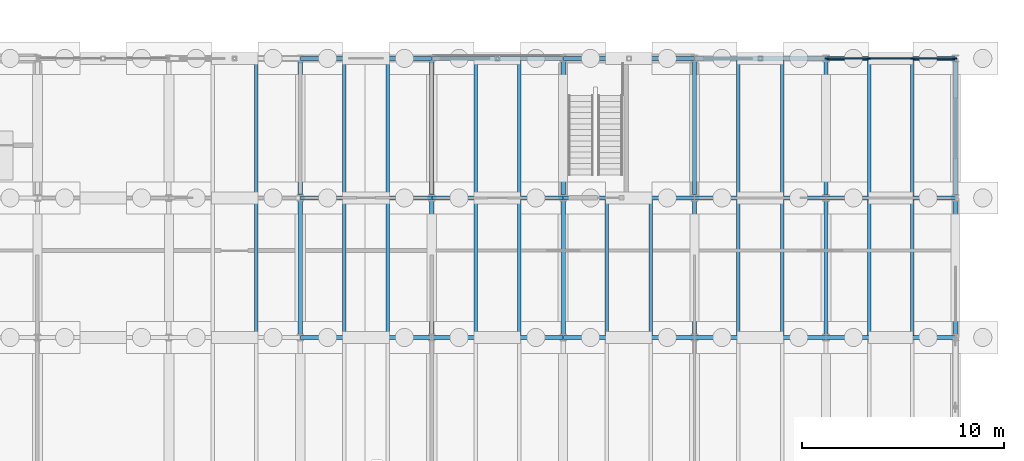
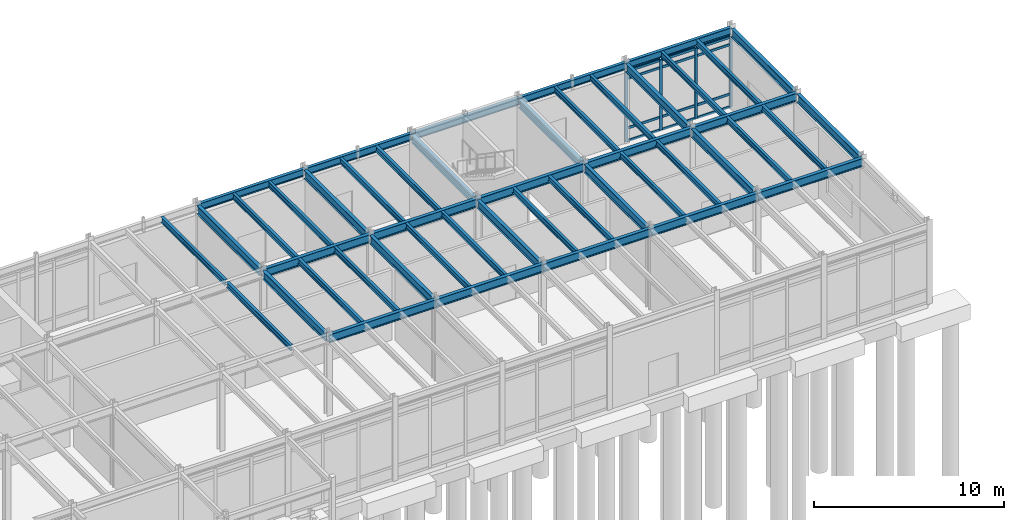
# One storey, part 49 of 82: 47 beams, 16 members, 1 element without a shape of its own.
"""IFC4 building model written with IfcOpenShell, lengths in metres."""

from ifc_helpers import new_model, si_unit, direction, frame, origin, origin_2d, place, context, subcontext, project, spatial, rectangle, i_section, extrude, material, layer, layer_set, material_profile, profile_set, type_object, element, aggregate, save


model = new_model("IFC4")

# Units and contexts
model_context = context("Model", 3, precision=1e-05, world=origin(), true_north=direction((0.0, 1.0)))
body_context = subcontext(model_context, "Body", "Model", "MODEL_VIEW")
ifc_project = project(units=[si_unit("LENGTHUNIT", "METRE"), si_unit("AREAUNIT", "SQUARE_METRE"), si_unit("VOLUMEUNIT", "CUBIC_METRE"), si_unit("PLANEANGLEUNIT", "RADIAN"), si_unit("MASSUNIT", "GRAM", prefix="KILO")], contexts=[model_context])

# Site, building, storey
site_placement = place(None, origin())
site = spatial("IfcSite", under=ifc_project, at=site_placement, CompositionType="ELEMENT")
building_placement = place(site_placement, origin())
building = spatial("IfcBuilding", under=site, at=building_placement, Name="Trelmorton Wharf Fire Station", CompositionType="ELEMENT")
storey_placement = place(building_placement, origin())
storey = spatial("IfcBuildingStorey", under=building, at=storey_placement, Name="L00", CompositionType="ELEMENT", Elevation=0.0)

# Beams
ifc_material_1 = material(Name="Steel Grade 350", Category="steel")
ifc_material_profile_1 = material_profile(ifc_material_1, i_section(OverallWidth=0.208984375, OverallDepth=0.532958984375, WebThickness=0.01025390625, FlangeThickness=0.015625, FilletRadius=0.013916015625, at=origin_2d()), Name="530UB92.4")
ifc_profile_set_1 = profile_set([ifc_material_profile_1], Name="Steel Grade 350")
beam_type_1 = type_object("IfcBeamType", Name="BM_530UB92", PredefinedType="BEAM", material=ifc_profile_set_1)
for number, where, z_axis, x_axis, name in (
    (1, (130.005859375, 67.199951171875, 4.863525390625), (1.0, 0.0, 0.0), (0.0, 1.0, 0.0), "BM-L00-0165"),
    (2, (136.505859375, 67.199951171875, 4.863525390625), (1.0, 0.0, 0.0), (0.0, 1.0, 0.0), "BM-L00-0166"),
    (3, (143.005859375, 67.199951171875, 4.863525390625), (1.0, 0.0, 0.0), (0.0, 1.0, 0.0), "BM-L00-0167"),
    (4, (149.505859375, 67.199951171875, 4.863525390625), (1.0, 0.0, 0.0), (0.0, 1.0, 0.0), "BM-L00-0168"),
):
    element("IfcBeam", number, at=place(storey_placement, frame(where, z_axis=z_axis, x_axis=x_axis)), inside=storey, type_object=beam_type_1, Name=name, PredefinedType="BEAM", context=body_context, shape_type="SweptSolid", body=[
        extrude(i_section(OverallWidth=0.208984375, OverallDepth=0.532958984375, WebThickness=0.01025390625, FlangeThickness=0.015625, FilletRadius=0.013916015625, at=origin_2d()), origin(), (0.0, 0.0, 1.0), 6.48828125),
    ])
beam_1_placement = place(storey_placement, frame((156.005859375, 67.199951171875, 4.863525390625), z_axis=(1.0, 0.0, 0.0), x_axis=(0.0, 1.0, 0.0)))
element("IfcBeam", 5, at=beam_1_placement, inside=storey, type_object=beam_type_1, Name="BM-L00-0169", PredefinedType="BEAM", context=body_context, shape_type="SweptSolid", body=[
    extrude(i_section(OverallWidth=0.208984375, OverallDepth=0.532958984375, WebThickness=0.01025390625, FlangeThickness=0.015625, FilletRadius=0.013916015625, at=origin_2d()), origin(), (0.0, 0.0, 1.0), 6.38818359375),
])
for number, where, z_axis, x_axis, name in (
    (6, (130.005859375, 74.10009765625, 4.863525390625), (1.0, 0.0, 0.0), (0.0, 1.0, 0.0), "BM-L00-0185"),
    (7, (136.505859375, 74.10009765625, 4.863525390625), (1.0, 0.0, 0.0), (0.0, 1.0, 0.0), "BM-L00-0186"),
    (8, (143.005859375, 74.10009765625, 4.863525390625), (1.0, 0.0, 0.0), (0.0, 1.0, 0.0), "BM-L00-0187"),
    (9, (149.505859375, 74.10009765625, 4.863525390625), (1.0, 0.0, 0.0), (0.0, 1.0, 0.0), "BM-L00-0188"),
):
    element("IfcBeam", number, at=place(storey_placement, frame(where, z_axis=z_axis, x_axis=x_axis)), inside=storey, type_object=beam_type_1, Name=name, PredefinedType="BEAM", context=body_context, shape_type="SweptSolid", body=[
        extrude(i_section(OverallWidth=0.208984375, OverallDepth=0.532958984375, WebThickness=0.01025390625, FlangeThickness=0.015625, FilletRadius=0.013916015625, at=origin_2d()), origin(), (0.0, 0.0, 1.0), 6.48828125),
    ])
beam_2_placement = place(storey_placement, frame((156.005859375, 74.10009765625, 4.863525390625), z_axis=(1.0, 0.0, 0.0), x_axis=(0.0, 1.0, 0.0)))
element("IfcBeam", 10, at=beam_2_placement, inside=storey, type_object=beam_type_1, Name="BM-L00-0189", PredefinedType="BEAM", context=body_context, shape_type="SweptSolid", body=[
    extrude(i_section(OverallWidth=0.208984375, OverallDepth=0.532958984375, WebThickness=0.01025390625, FlangeThickness=0.015625, FilletRadius=0.013916015625, at=origin_2d()), origin(), (0.0, 0.0, 1.0), 6.38818359375),
])
beam_3_placement = place(storey_placement, frame((130.0, 67.359619140625, 4.863525390625), z_axis=(0.0, 1.0, 0.0), x_axis=(-1.0, 0.0, 0.0)))
element("IfcBeam", 11, at=beam_3_placement, inside=storey, type_object=beam_type_1, Name="BM-L00-0356", PredefinedType="BEAM", context=body_context, shape_type="SweptSolid", body=[
    extrude(i_section(OverallWidth=0.208984375, OverallDepth=0.532958984375, WebThickness=0.01025390625, FlangeThickness=0.015625, FilletRadius=0.013916015625, at=origin_2d()), origin(), (0.0, 0.0, 1.0), 6.580810546875),
])
beam_4_placement = place(storey_placement, frame((130.0, 74.259521484375, 4.863525390625), z_axis=(0.0, 1.0, 0.0), x_axis=(-1.0, 0.0, 0.0)))
element("IfcBeam", 12, at=beam_4_placement, inside=storey, type_object=beam_type_1, Name="BM-L00-0357", PredefinedType="BEAM", context=body_context, shape_type="SweptSolid", body=[
    extrude(i_section(OverallWidth=0.208984375, OverallDepth=0.532958984375, WebThickness=0.01025390625, FlangeThickness=0.015625, FilletRadius=0.013916015625, at=origin_2d()), origin(), (0.0, 0.0, 1.0), 6.5810546875),
])
beam_5_placement = place(storey_placement, frame((136.5, 67.359619140625, 4.863525390625), z_axis=(0.0, 1.0, 0.0), x_axis=(-1.0, 0.0, 0.0)))
element("IfcBeam", 13, at=beam_5_placement, inside=storey, type_object=beam_type_1, Name="BM-L00-0363", PredefinedType="BEAM", context=body_context, shape_type="SweptSolid", body=[
    extrude(i_section(OverallWidth=0.208984375, OverallDepth=0.532958984375, WebThickness=0.01025390625, FlangeThickness=0.015625, FilletRadius=0.013916015625, at=origin_2d()), origin(), (0.0, 0.0, 1.0), 6.580810546875),
])
beam_6_placement = place(storey_placement, frame((136.5, 74.259521484375, 4.863525390625), z_axis=(0.0, 1.0, 0.0), x_axis=(-1.0, 0.0, 0.0)))
element("IfcBeam", 14, at=beam_6_placement, inside=storey, type_object=beam_type_1, Name="BM-L00-0364", PredefinedType="BEAM", context=body_context, shape_type="SweptSolid", body=[
    extrude(i_section(OverallWidth=0.208984375, OverallDepth=0.532958984375, WebThickness=0.01025390625, FlangeThickness=0.015625, FilletRadius=0.013916015625, at=origin_2d()), origin(), (0.0, 0.0, 1.0), 6.5810546875),
])
beam_7_placement = place(storey_placement, frame((143.0, 67.359619140625, 4.863525390625), z_axis=(0.0, 1.0, 0.0), x_axis=(-1.0, 0.0, 0.0)))
element("IfcBeam", 15, at=beam_7_placement, inside=storey, type_object=beam_type_1, Name="BM-L00-0370", PredefinedType="BEAM", context=body_context, shape_type="SweptSolid", body=[
    extrude(i_section(OverallWidth=0.208984375, OverallDepth=0.532958984375, WebThickness=0.01025390625, FlangeThickness=0.015625, FilletRadius=0.013916015625, at=origin_2d()), origin(), (0.0, 0.0, 1.0), 6.580810546875),
])
beam_8_placement = place(storey_placement, frame((143.0, 74.259521484375, 4.863525390625), z_axis=(0.0, 1.0, 0.0), x_axis=(-1.0, 0.0, 0.0)))
element("IfcBeam", 16, at=beam_8_placement, inside=storey, type_object=beam_type_1, Name="BM-L00-0371", PredefinedType="BEAM", context=body_context, shape_type="SweptSolid", body=[
    extrude(i_section(OverallWidth=0.208984375, OverallDepth=0.532958984375, WebThickness=0.01025390625, FlangeThickness=0.015625, FilletRadius=0.013916015625, at=origin_2d()), origin(), (0.0, 0.0, 1.0), 6.5810546875),
])
beam_9_placement = place(storey_placement, frame((149.5, 67.359619140625, 4.863525390625), z_axis=(0.0, 1.0, 0.0), x_axis=(-1.0, 0.0, 0.0)))
element("IfcBeam", 17, at=beam_9_placement, inside=storey, type_object=beam_type_1, Name="BM-L00-0377", PredefinedType="BEAM", context=body_context, shape_type="SweptSolid", body=[
    extrude(i_section(OverallWidth=0.208984375, OverallDepth=0.532958984375, WebThickness=0.01025390625, FlangeThickness=0.015625, FilletRadius=0.013916015625, at=origin_2d()), origin(), (0.0, 0.0, 1.0), 6.580810546875),
])
beam_10_placement = place(storey_placement, frame((149.5, 74.259521484375, 4.863525390625), z_axis=(0.0, 1.0, 0.0), x_axis=(-1.0, 0.0, 0.0)))
element("IfcBeam", 18, at=beam_10_placement, inside=storey, type_object=beam_type_1, Name="BM-L00-0378", PredefinedType="BEAM", context=body_context, shape_type="SweptSolid", body=[
    extrude(i_section(OverallWidth=0.208984375, OverallDepth=0.532958984375, WebThickness=0.01025390625, FlangeThickness=0.015625, FilletRadius=0.013916015625, at=origin_2d()), origin(), (0.0, 0.0, 1.0), 6.5810546875),
])
beam_11_placement = place(storey_placement, frame((156.0, 67.359619140625, 4.863525390625), z_axis=(0.0, 1.0, 0.0), x_axis=(-1.0, 0.0, 0.0)))
element("IfcBeam", 19, at=beam_11_placement, inside=storey, type_object=beam_type_1, Name="BM-L00-0384", PredefinedType="BEAM", context=body_context, shape_type="SweptSolid", body=[
    extrude(i_section(OverallWidth=0.208984375, OverallDepth=0.532958984375, WebThickness=0.01025390625, FlangeThickness=0.015625, FilletRadius=0.013916015625, at=origin_2d()), origin(), (0.0, 0.0, 1.0), 6.580810546875),
])
beam_12_placement = place(storey_placement, frame((156.0, 74.259521484375, 4.863525390625), z_axis=(0.0, 1.0, 0.0), x_axis=(-1.0, 0.0, 0.0)))
element("IfcBeam", 20, at=beam_12_placement, inside=storey, type_object=beam_type_1, Name="BM-L00-0385", PredefinedType="BEAM", context=body_context, shape_type="SweptSolid", body=[
    extrude(i_section(OverallWidth=0.208984375, OverallDepth=0.532958984375, WebThickness=0.01025390625, FlangeThickness=0.015625, FilletRadius=0.013916015625, at=origin_2d()), origin(), (0.0, 0.0, 1.0), 6.5810546875),
])
beam_13_placement = place(storey_placement, frame((162.39990234375, 67.359619140625, 4.863525390625), z_axis=(0.0, 1.0, 0.0), x_axis=(-1.0, 0.0, 0.0)))
element("IfcBeam", 21, at=beam_13_placement, inside=storey, type_object=beam_type_1, Name="BM-L00-0391", PredefinedType="BEAM", context=body_context, shape_type="SweptSolid", body=[
    extrude(i_section(OverallWidth=0.208984375, OverallDepth=0.532958984375, WebThickness=0.01025390625, FlangeThickness=0.015625, FilletRadius=0.013916015625, at=origin_2d()), origin(), (0.0, 0.0, 1.0), 6.580810546875),
])
beam_14_placement = place(storey_placement, frame((162.39990234375, 74.259521484375, 4.863525390625), z_axis=(0.0, 1.0, 0.0), x_axis=(-1.0, 0.0, 0.0)))
element("IfcBeam", 22, at=beam_14_placement, inside=storey, type_object=beam_type_1, Name="BM-L00-0392", PredefinedType="BEAM", context=body_context, shape_type="SweptSolid", body=[
    extrude(i_section(OverallWidth=0.208984375, OverallDepth=0.532958984375, WebThickness=0.01025390625, FlangeThickness=0.015625, FilletRadius=0.013916015625, at=origin_2d()), origin(), (0.0, 0.0, 1.0), 6.5810546875),
])

# Curtain wall, members
ifc_material_2 = material(Name="Anodised aluminium AW-6063", Category="aluminium")
ifc_layer = layer(ifc_material_2, 0.14990234375)
ifc_layer_set = layer_set([ifc_layer], Name="Anodised aluminium AW-6063")
curtain_wall_type = type_object("IfcCurtainWallType", Name="CW_UNIT_A", PredefinedType="USERDEFINED", material=ifc_layer_set)
curtain_wall_placement = place(storey_placement, origin())
curtain_wall = element("IfcCurtainWall", 23, at=curtain_wall_placement, inside=storey, type_object=curtain_wall_type, Name="CW-V4-L00-122", ObjectType="UNITISED CURTAIN WALL", PredefinedType="USERDEFINED")
ifc_material_profile_2 = material_profile(ifc_material_2, rectangle(XDim=0.074951171875, YDim=0.175048828125, at=origin_2d()), Name="ALU-75x175")
ifc_profile_set_2 = profile_set([ifc_material_profile_2], Name="Anodised aluminium AW-6063")
member_type_1 = type_object("IfcMemberType", Name="CWM_75x175", PredefinedType="MULLION", material=ifc_profile_set_2)
member_1_placement = place(storey_placement, frame((156.034912109375, 81.0, 0.0), z_axis=(0.0, 0.0, 1.0), x_axis=(0.0, 1.0, 0.0)))
member_1 = element("IfcMember", 24, at=member_1_placement, type_object=member_type_1, Name="CW3 mullion 1", PredefinedType="MULLION", context=body_context, shape_type="SweptSolid", body=[
    extrude(rectangle(XDim=0.074951171875, YDim=0.175048828125, at=origin_2d()), origin(), (0.0, 0.0, 1.0), 4.52001953125),
])
member_2_placement = place(storey_placement, frame((158.135009765625, 81.0, 0.0), z_axis=(0.0, 0.0, 1.0), x_axis=(0.0, 1.0, 0.0)))
member_2 = element("IfcMember", 25, at=member_2_placement, type_object=member_type_1, Name="CW3 mullion 2", PredefinedType="MULLION", context=body_context, shape_type="SweptSolid", body=[
    extrude(rectangle(XDim=0.074951171875, YDim=0.175048828125, at=origin_2d()), origin(), (0.0, 0.0, 1.0), 4.52001953125),
])
member_3_placement = place(storey_placement, frame((160.264892578125, 81.0, 0.0), z_axis=(0.0, 0.0, 1.0), x_axis=(0.0, 1.0, 0.0)))
member_3 = element("IfcMember", 26, at=member_3_placement, type_object=member_type_1, Name="CW3 mullion 3", PredefinedType="MULLION", context=body_context, shape_type="SweptSolid", body=[
    extrude(rectangle(XDim=0.074951171875, YDim=0.175048828125, at=origin_2d()), origin(), (0.0, 0.0, 1.0), 4.52001953125),
])
member_4_placement = place(storey_placement, frame((162.364990234375, 81.0, 0.0), z_axis=(0.0, 0.0, 1.0), x_axis=(0.0, 1.0, 0.0)))
member_4 = element("IfcMember", 27, at=member_4_placement, type_object=member_type_1, Name="CW3 mullion 4", PredefinedType="MULLION", context=body_context, shape_type="SweptSolid", body=[
    extrude(rectangle(XDim=0.074951171875, YDim=0.175048828125, at=origin_2d()), origin(), (0.0, 0.0, 1.0), 4.52001953125),
])
ifc_material_profile_3 = material_profile(ifc_material_2, rectangle(XDim=0.074951171875, YDim=0.155029296875, at=origin_2d()), Name="ALU-75x155")
ifc_profile_set_3 = profile_set([ifc_material_profile_3], Name="Anodised aluminium AW-6063")
member_type_2 = type_object("IfcMemberType", Name="CWT_75x155", PredefinedType="USERDEFINED", material=ifc_profile_set_3)
member_5_placement = place(storey_placement, frame((156.06494140625, 81.0, 0.030029296875), z_axis=(1.0, 0.0, 0.0), x_axis=(0.0, 1.0, 0.0)))
member_5 = element("IfcMember", 28, at=member_5_placement, type_object=member_type_2, Name="CW3 transom 1.1", ObjectType="TRANSOM", PredefinedType="USERDEFINED", context=body_context, shape_type="SweptSolid", body=[
    extrude(rectangle(XDim=0.074951171875, YDim=0.155029296875, at=origin_2d()), origin(), (0.0, 0.0, 1.0), 2.0400390625),
])
member_6_placement = place(storey_placement, frame((156.06494140625, 81.0, 0.85009765625), z_axis=(1.0, 0.0, 0.0), x_axis=(0.0, 1.0, 0.0)))
member_6 = element("IfcMember", 29, at=member_6_placement, type_object=member_type_2, Name="CW3 transom 1.2", ObjectType="TRANSOM", PredefinedType="USERDEFINED", context=body_context, shape_type="SweptSolid", body=[
    extrude(rectangle(XDim=0.074951171875, YDim=0.155029296875, at=origin_2d()), origin(), (0.0, 0.0, 1.0), 2.0400390625),
])
member_7_placement = place(storey_placement, frame((156.06494140625, 81.0, 4.02001953125), z_axis=(1.0, 0.0, 0.0), x_axis=(0.0, 1.0, 0.0)))
member_7 = element("IfcMember", 30, at=member_7_placement, type_object=member_type_2, Name="CW3 transom 1.3", ObjectType="TRANSOM", PredefinedType="USERDEFINED", context=body_context, shape_type="SweptSolid", body=[
    extrude(rectangle(XDim=0.074951171875, YDim=0.155029296875, at=origin_2d()), origin(), (0.0, 0.0, 1.0), 2.0400390625),
])
member_8_placement = place(storey_placement, frame((156.06494140625, 81.0, 4.489990234375), z_axis=(1.0, 0.0, 0.0), x_axis=(0.0, 1.0, 0.0)))
member_8 = element("IfcMember", 31, at=member_8_placement, type_object=member_type_2, Name="CW3 transom 1.4", ObjectType="TRANSOM", PredefinedType="USERDEFINED", context=body_context, shape_type="SweptSolid", body=[
    extrude(rectangle(XDim=0.074951171875, YDim=0.155029296875, at=origin_2d()), origin(), (0.0, 0.0, 1.0), 2.0400390625),
])
member_9_placement = place(storey_placement, frame((158.1650390625, 81.0, 0.030029296875), z_axis=(1.0, 0.0, 0.0), x_axis=(0.0, 1.0, 0.0)))
member_9 = element("IfcMember", 32, at=member_9_placement, type_object=member_type_2, Name="CW3 transom 2.1", ObjectType="TRANSOM", PredefinedType="USERDEFINED", context=body_context, shape_type="SweptSolid", body=[
    extrude(rectangle(XDim=0.074951171875, YDim=0.155029296875, at=origin_2d()), origin(), (0.0, 0.0, 1.0), 2.070068359375),
])
member_10_placement = place(storey_placement, frame((158.1650390625, 81.0, 0.85009765625), z_axis=(1.0, 0.0, 0.0), x_axis=(0.0, 1.0, 0.0)))
member_10 = element("IfcMember", 33, at=member_10_placement, type_object=member_type_2, Name="CW3 transom 2.2", ObjectType="TRANSOM", PredefinedType="USERDEFINED", context=body_context, shape_type="SweptSolid", body=[
    extrude(rectangle(XDim=0.074951171875, YDim=0.155029296875, at=origin_2d()), origin(), (0.0, 0.0, 1.0), 2.070068359375),
])
member_11_placement = place(storey_placement, frame((158.1650390625, 81.0, 4.02001953125), z_axis=(1.0, 0.0, 0.0), x_axis=(0.0, 1.0, 0.0)))
member_11 = element("IfcMember", 34, at=member_11_placement, type_object=member_type_2, Name="CW3 transom 2.3", ObjectType="TRANSOM", PredefinedType="USERDEFINED", context=body_context, shape_type="SweptSolid", body=[
    extrude(rectangle(XDim=0.074951171875, YDim=0.155029296875, at=origin_2d()), origin(), (0.0, 0.0, 1.0), 2.070068359375),
])
member_12_placement = place(storey_placement, frame((158.1650390625, 81.0, 4.489990234375), z_axis=(1.0, 0.0, 0.0), x_axis=(0.0, 1.0, 0.0)))
member_12 = element("IfcMember", 35, at=member_12_placement, type_object=member_type_2, Name="CW3 transom 2.4", ObjectType="TRANSOM", PredefinedType="USERDEFINED", context=body_context, shape_type="SweptSolid", body=[
    extrude(rectangle(XDim=0.074951171875, YDim=0.155029296875, at=origin_2d()), origin(), (0.0, 0.0, 1.0), 2.070068359375),
])
member_13_placement = place(storey_placement, frame((160.294921875, 81.0, 0.030029296875), z_axis=(1.0, 0.0, 0.0), x_axis=(0.0, 1.0, 0.0)))
member_13 = element("IfcMember", 36, at=member_13_placement, type_object=member_type_2, Name="CW3 transom 3.1", ObjectType="TRANSOM", PredefinedType="USERDEFINED", context=body_context, shape_type="SweptSolid", body=[
    extrude(rectangle(XDim=0.074951171875, YDim=0.155029296875, at=origin_2d()), origin(), (0.0, 0.0, 1.0), 2.0400390625),
])
member_14_placement = place(storey_placement, frame((160.294921875, 81.0, 0.85009765625), z_axis=(1.0, 0.0, 0.0), x_axis=(0.0, 1.0, 0.0)))
member_14 = element("IfcMember", 37, at=member_14_placement, type_object=member_type_2, Name="CW3 transom 3.2", ObjectType="TRANSOM", PredefinedType="USERDEFINED", context=body_context, shape_type="SweptSolid", body=[
    extrude(rectangle(XDim=0.074951171875, YDim=0.155029296875, at=origin_2d()), origin(), (0.0, 0.0, 1.0), 2.0400390625),
])
member_15_placement = place(storey_placement, frame((160.294921875, 81.0, 4.02001953125), z_axis=(1.0, 0.0, 0.0), x_axis=(0.0, 1.0, 0.0)))
member_15 = element("IfcMember", 38, at=member_15_placement, type_object=member_type_2, Name="CW3 transom 3.3", ObjectType="TRANSOM", PredefinedType="USERDEFINED", context=body_context, shape_type="SweptSolid", body=[
    extrude(rectangle(XDim=0.074951171875, YDim=0.155029296875, at=origin_2d()), origin(), (0.0, 0.0, 1.0), 2.0400390625),
])
member_16_placement = place(storey_placement, frame((160.294921875, 81.0, 4.489990234375), z_axis=(1.0, 0.0, 0.0), x_axis=(0.0, 1.0, 0.0)))
member_16 = element("IfcMember", 39, at=member_16_placement, type_object=member_type_2, Name="CW3 transom 3.4", ObjectType="TRANSOM", PredefinedType="USERDEFINED", context=body_context, shape_type="SweptSolid", body=[
    extrude(rectangle(XDim=0.074951171875, YDim=0.155029296875, at=origin_2d()), origin(), (0.0, 0.0, 1.0), 2.0400390625),
])
aggregate(curtain_wall, [member_1, member_2, member_3, member_4, member_5, member_6, member_7, member_8, member_9, member_10, member_11, member_12, member_13, member_14, member_15, member_16])

# Beams
ifc_material_profile_4 = material_profile(ifc_material_1, i_section(OverallWidth=0.172119140625, OverallDepth=0.35888671875, WebThickness=0.008056640625, FlangeThickness=0.012939453125, FilletRadius=0.011474609375, at=origin_2d()), Name="360UB56.7")
ifc_profile_set_4 = profile_set([ifc_material_profile_4], Name="Steel Grade 350")
beam_type_2 = type_object("IfcBeamType", Name="JS_360UB57", PredefinedType="JOIST", material=ifc_profile_set_4)
for number, where, z_axis, x_axis, name in (
    (40, (127.833251953125, 67.2900390625, 4.950439453125), (0.0, 1.0, 0.0), (-1.0, 0.0, 0.0), "JS-L00-0092"),
    (41, (127.833251953125, 74.18994140625, 4.950439453125), (0.0, 1.0, 0.0), (-1.0, 0.0, 0.0), "JS-L00-0094"),
    (42, (132.166748046875, 67.2900390625, 4.950439453125), (0.0, 1.0, 0.0), (-1.0, 0.0, 0.0), "JS-L00-0101"),
    (43, (134.333251953125, 67.2900390625, 4.950439453125), (0.0, 1.0, 0.0), (-1.0, 0.0, 0.0), "JS-L00-0102"),
    (44, (132.166748046875, 74.18994140625, 4.950439453125), (0.0, 1.0, 0.0), (-1.0, 0.0, 0.0), "JS-L00-0103"),
    (45, (134.333251953125, 74.18994140625, 4.950439453125), (0.0, 1.0, 0.0), (-1.0, 0.0, 0.0), "JS-L00-0104"),
    (46, (138.666748046875, 67.2900390625, 4.950439453125), (0.0, 1.0, 0.0), (-1.0, 0.0, 0.0), "JS-L00-0109"),
    (47, (140.833251953125, 67.2900390625, 4.950439453125), (0.0, 1.0, 0.0), (-1.0, 0.0, 0.0), "JS-L00-0110"),
    (48, (138.666748046875, 74.18994140625, 4.950439453125), (0.0, 1.0, 0.0), (-1.0, 0.0, 0.0), "JS-L00-0111"),
    (49, (140.833251953125, 74.18994140625, 4.950439453125), (0.0, 1.0, 0.0), (-1.0, 0.0, 0.0), "JS-L00-0112"),
    (50, (145.166748046875, 67.2900390625, 4.950439453125), (0.0, 1.0, 0.0), (-1.0, 0.0, 0.0), "JS-L00-0117"),
    (51, (147.333251953125, 67.2900390625, 4.950439453125), (0.0, 1.0, 0.0), (-1.0, 0.0, 0.0), "JS-L00-0118"),
    (52, (151.666748046875, 67.2900390625, 4.950439453125), (0.0, 1.0, 0.0), (-1.0, 0.0, 0.0), "JS-L00-0125"),
    (53, (153.833251953125, 67.2900390625, 4.950439453125), (0.0, 1.0, 0.0), (-1.0, 0.0, 0.0), "JS-L00-0126"),
    (54, (151.666748046875, 74.18994140625, 4.950439453125), (0.0, 1.0, 0.0), (-1.0, 0.0, 0.0), "JS-L00-0127"),
    (55, (153.833251953125, 74.18994140625, 4.950439453125), (0.0, 1.0, 0.0), (-1.0, 0.0, 0.0), "JS-L00-0128"),
    (56, (158.13330078125, 67.2900390625, 4.950439453125), (0.0, 1.0, 0.0), (-1.0, 0.0, 0.0), "JS-L00-0135"),
    (57, (160.2666015625, 67.2900390625, 4.950439453125), (0.0, 1.0, 0.0), (-1.0, 0.0, 0.0), "JS-L00-0136"),
    (58, (158.13330078125, 74.18994140625, 4.950439453125), (0.0, 1.0, 0.0), (-1.0, 0.0, 0.0), "JS-L00-0137"),
    (59, (160.2666015625, 74.18994140625, 4.950439453125), (0.0, 1.0, 0.0), (-1.0, 0.0, 0.0), "JS-L00-0138"),
):
    element("IfcBeam", number, at=place(storey_placement, frame(where, z_axis=z_axis, x_axis=x_axis)), inside=storey, type_object=beam_type_2, Name=name, PredefinedType="JOIST", context=body_context, shape_type="SweptSolid", body=[
        extrude(i_section(OverallWidth=0.172119140625, OverallDepth=0.35888671875, WebThickness=0.008056640625, FlangeThickness=0.012939453125, FilletRadius=0.011474609375, at=origin_2d()), origin(), (0.0, 0.0, 1.0), 6.719970703125),
    ])
ifc_material_profile_5 = material_profile(ifc_material_1, i_section(OverallWidth=0.18994140625, OverallDepth=0.45703125, WebThickness=0.009033203125, FlangeThickness=0.014404296875, FilletRadius=0.011474609375, at=origin_2d()), Name="460UB74.6")
ifc_profile_set_5 = profile_set([ifc_material_profile_5], Name="Steel Grade 350")
beam_type_3 = type_object("IfcBeamType", Name="SP_460UB75", PredefinedType="SPANDREL", material=ifc_profile_set_5)
for number, where, z_axis, x_axis, name in (
    (60, (130.005859375, 81.0, 4.901611328125), (1.0, 0.0, 0.0), (0.0, 1.0, 0.0), "BM-L00-0205"),
    (61, (136.505859375, 81.0, 4.901611328125), (1.0, 0.0, 0.0), (0.0, 1.0, 0.0), "BM-L00-0206"),
    (62, (143.005859375, 81.0, 4.901611328125), (1.0, 0.0, 0.0), (0.0, 1.0, 0.0), "BM-L00-0207"),
    (63, (149.505859375, 81.0, 4.901611328125), (1.0, 0.0, 0.0), (0.0, 1.0, 0.0), "BM-L00-0208"),
):
    element("IfcBeam", number, at=place(storey_placement, frame(where, z_axis=z_axis, x_axis=x_axis)), inside=storey, type_object=beam_type_3, Name=name, PredefinedType="SPANDREL", context=body_context, shape_type="SweptSolid", body=[
        extrude(i_section(OverallWidth=0.18994140625, OverallDepth=0.45703125, WebThickness=0.009033203125, FlangeThickness=0.014404296875, FilletRadius=0.011474609375, at=origin_2d()), origin(), (0.0, 0.0, 1.0), 6.48828125),
    ])
beam_15_placement = place(storey_placement, frame((156.005859375, 81.0, 4.901611328125), z_axis=(1.0, 0.0, 0.0), x_axis=(0.0, 1.0, 0.0)))
element("IfcBeam", 64, at=beam_15_placement, inside=storey, type_object=beam_type_3, Name="BM-L00-0209", PredefinedType="SPANDREL", context=body_context, shape_type="SweptSolid", body=[
    extrude(i_section(OverallWidth=0.18994140625, OverallDepth=0.45703125, WebThickness=0.009033203125, FlangeThickness=0.014404296875, FilletRadius=0.011474609375, at=origin_2d()), origin(), (0.0, 0.0, 1.0), 6.38818359375),
])

save(model, "model.ifc")
